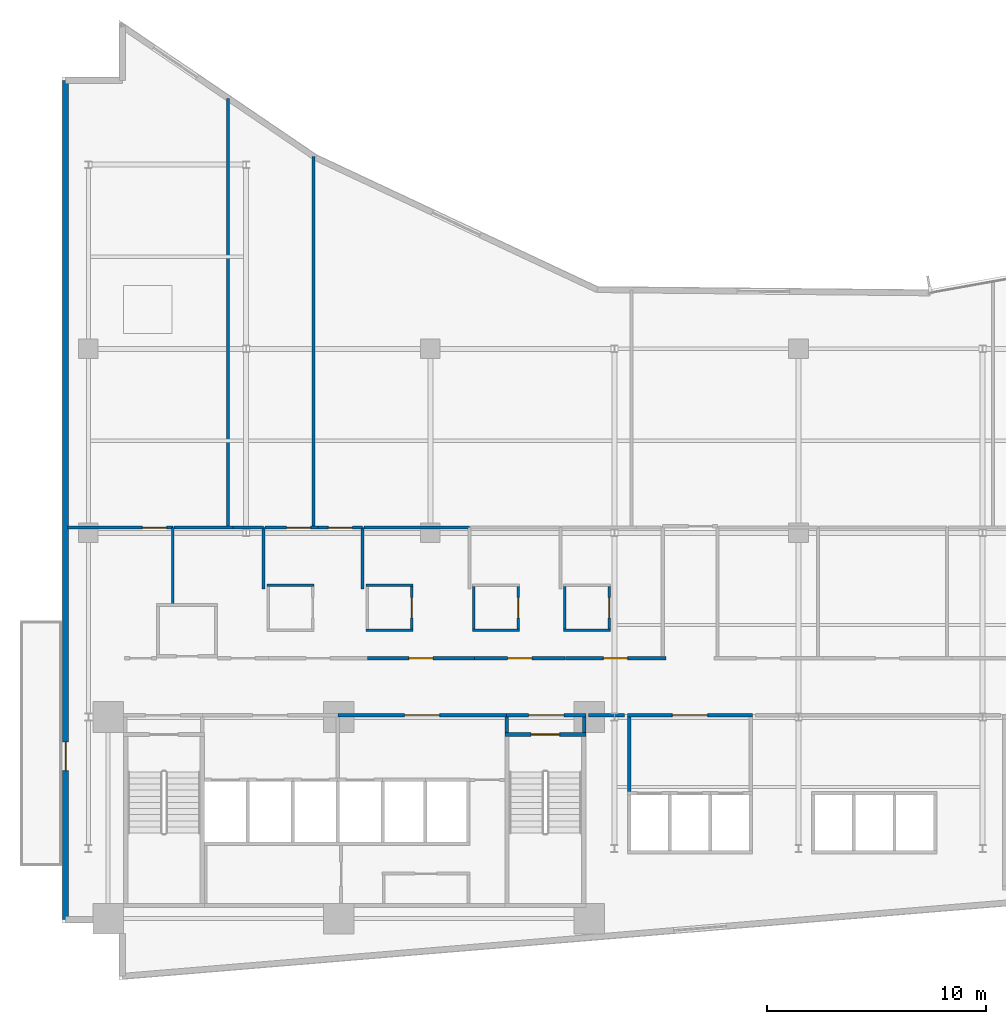
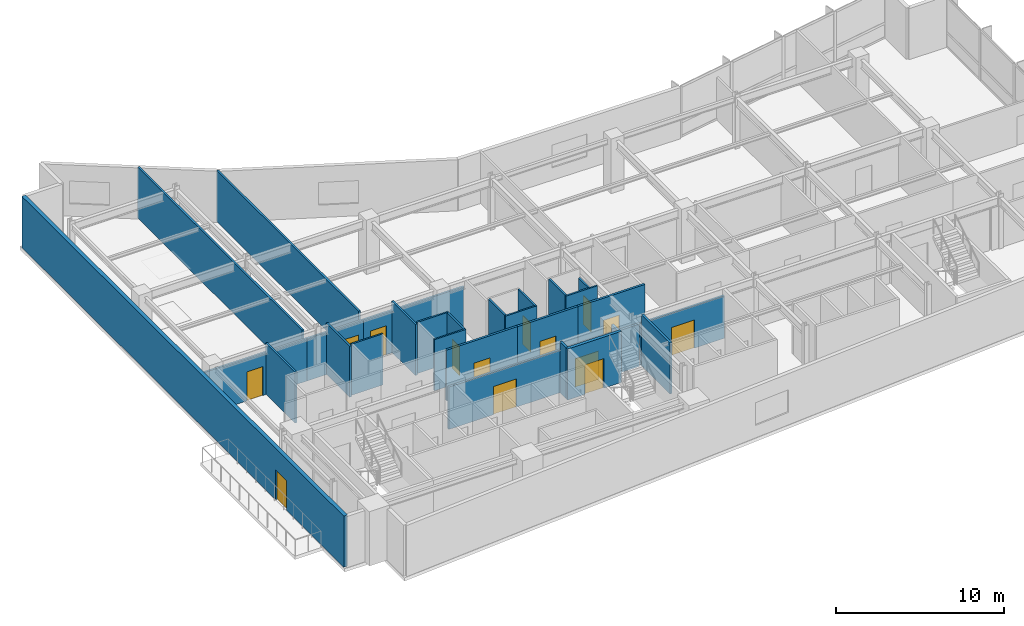
# One storey, part 14 of 21: 33 walls, 14 doors, 14 openings.
"""IFC4 building model written with IfcOpenShell, lengths in metres."""

from ifc_helpers import new_model, si_unit, direction, frame, frame_2d, origin, place, context, subcontext, project, spatial, rectangle, extrude, material, layer, layer_set, type_object, element, fill, save


model = new_model("IFC4")

# Units and contexts
model_context = context("Model", 3, precision=1e-05, world=origin(), true_north=direction((0.0, 1.0)))
body_context = subcontext(model_context, "Body", "Model", "MODEL_VIEW")
ifc_project = project(units=[si_unit("LENGTHUNIT", "METRE"), si_unit("AREAUNIT", "SQUARE_METRE"), si_unit("VOLUMEUNIT", "CUBIC_METRE"), si_unit("PLANEANGLEUNIT", "RADIAN"), si_unit("MASSUNIT", "GRAM", prefix="KILO")], contexts=[model_context])

# Site, building, storey
site_placement = place(None, origin())
site = spatial("IfcSite", under=ifc_project, at=site_placement, CompositionType="ELEMENT")
building_placement = place(site_placement, origin())
building = spatial("IfcBuilding", under=site, at=building_placement, Name="Varnakote Quay Hospital", CompositionType="ELEMENT")
storey_placement = place(building_placement, frame((0.0, 0.0, 77.800048828125)))
storey = spatial("IfcBuildingStorey", under=building, at=storey_placement, Name="L19", CompositionType="ELEMENT", Elevation=77.800048828125)

# Wall, opening, door
ifc_material_1 = material(Name="Fire-rated acoustic gypsum stud wall", Category="gypsum")
ifc_layer_1 = layer(ifc_material_1, 0.159912109375)
ifc_layer_set_1 = layer_set([ifc_layer_1], Name="Fire-rated acoustic gypsum stud wall")
wall_type_1 = type_object("IfcWallType", Name="WL-COMP-160", PredefinedType="PARTITIONING", material=ifc_layer_set_1)
wall_1_placement = place(storey_placement, frame((12.580078125, 12.080078125, 0.0), z_axis=(0.0, 0.0, 1.0), x_axis=(1.0, 0.0, 0.0)))
wall_1 = element("IfcWall", 1, at=wall_1_placement, inside=storey, type_object=wall_type_1, Name="L19 Clinical Bed Lift Lobby Wall", PredefinedType="PARTITIONING", context=body_context, shape_type="SweptSolid", body=[
    extrude(rectangle(XDim=7.699951171875, YDim=0.159912109375, at=frame_2d((3.85009765625, 0.0))), origin(), (0.0, 0.0, 1.0), 3.072998046875),
])
opening_1_placement = place(wall_1_placement, frame((3.050048828125, 0.0, 0.0)))
opening_1 = element("IfcOpeningElement", 2, at=opening_1_placement, cuts=wall_1, Name="Opening D-SVL-L19", PredefinedType="OPENING", context=body_context, shape_type="SweptSolid", body=[
    extrude(rectangle(XDim=1.60009765625, YDim=2.050048828125, at=frame_2d((0.800048828125, 1.02490234375))), frame((0.0, 0.08984375, 0.0), z_axis=(0.0, -1.0, 0.0), x_axis=(1.0, 0.0, 0.0)), (0.0, 0.0, 1.0), 0.179931640625),
])
ifc_material_2 = material(Name="Fire-rated double smoke lobby door")
door_type_1 = type_object("IfcDoorType", Name="DR-LOBBY-FD60S-1600x2150", OperationType="NOTDEFINED", PredefinedType="DOOR", material=ifc_material_2)
door_1_placement = place(opening_1_placement, origin())
door_1 = element("IfcDoor", 3, at=door_1_placement, inside=storey, type_object=door_type_1, Name="L19 Clinical Core Smoke Vestibule Door", OperationType="DOUBLE_DOOR_SINGLE_SWING", OverallHeight=2.050048828125, OverallWidth=1.60009765625, PredefinedType="DOOR", context=body_context, shape_type="SweptSolid", body=[
    extrude(rectangle(XDim=1.60009765625, YDim=2.050048828125, at=frame_2d((0.800048828125, 1.02490234375))), frame((0.0, 0.02490234375, 0.0), z_axis=(0.0, -1.0, 0.0), x_axis=(1.0, 0.0, 0.0)), (0.0, 0.0, 1.0), 0.050048828125),
])
fill(opening_1, door_1)

# Wall
wall_2_placement = place(storey_placement, frame((20.280029296875, 11.300048828125, 0.0), z_axis=(0.0, 0.0, 1.0), x_axis=(0.0, 1.0, 0.0)))
element("IfcWall", 4, at=wall_2_placement, inside=storey, type_object=wall_type_1, Name="L19 East Stair Vestibule Divider Wall", PredefinedType="PARTITIONING", context=body_context, shape_type="SweptSolid", body=[
    extrude(rectangle(XDim=0.699951171875, YDim=0.159912109375, at=frame_2d((0.35009765625, 0.0))), origin(), (0.0, 0.0, 1.0), 3.7099609375),
])

# Wall, opening, door
wall_3_placement = place(storey_placement, frame((20.280029296875, 12.080078125, 0.0), z_axis=(0.0, 0.0, 1.0), x_axis=(1.0, 0.0, 0.0)))
wall_3 = element("IfcWall", 5, at=wall_3_placement, inside=storey, type_object=wall_type_1, Name="L19 East Stair Vestibule Smoke Wall", PredefinedType="PARTITIONING", context=body_context, shape_type="SweptSolid", body=[
    extrude(rectangle(XDim=3.619873046875, YDim=0.159912109375, at=frame_2d((1.81005859375, 0.0))), origin(), (0.0, 0.0, 1.0), 3.072998046875),
])
opening_2_placement = place(wall_3_placement, frame((1.010009765625, 0.0, 0.0)))
opening_2 = element("IfcOpeningElement", 6, at=opening_2_placement, cuts=wall_3, Name="Opening D-ST2L-L19", PredefinedType="OPENING", context=body_context, shape_type="SweptSolid", body=[
    extrude(rectangle(XDim=1.60009765625, YDim=2.050048828125, at=frame_2d((0.800048828125, 1.02490234375))), frame((0.0, 0.08984375, 0.0), z_axis=(0.0, -1.0, 0.0), x_axis=(1.0, 0.0, 0.0)), (0.0, 0.0, 1.0), 0.179931640625),
])
door_2_placement = place(opening_2_placement, origin())
door_2 = element("IfcDoor", 7, at=door_2_placement, inside=storey, type_object=door_type_1, Name="L19 East Stair Vestibule Smoke Door", OperationType="DOUBLE_DOOR_SINGLE_SWING", OverallHeight=2.050048828125, OverallWidth=1.60009765625, PredefinedType="DOOR", context=body_context, shape_type="SweptSolid", body=[
    extrude(rectangle(XDim=1.60009765625, YDim=2.050048828125, at=frame_2d((0.800048828125, 1.02490234375))), frame((0.0, 0.02490234375, 0.0), z_axis=(0.0, -1.0, 0.0), x_axis=(1.0, 0.0, 0.0)), (0.0, 0.0, 1.0), 0.050048828125),
])
fill(opening_2, door_2)

# Walls
wall_4_placement = place(storey_placement, frame((23.820068359375, 11.300048828125, 0.0), z_axis=(0.0, 0.0, 1.0), x_axis=(0.0, 1.0, 0.0)))
element("IfcWall", 8, at=wall_4_placement, inside=storey, type_object=wall_type_1, Name="L19 East Stair Vestibule East Wall", PredefinedType="PARTITIONING", context=body_context, shape_type="SweptSolid", body=[
    extrude(rectangle(XDim=0.699951171875, YDim=0.159912109375, at=frame_2d((0.35009765625, 0.0))), origin(), (0.0, 0.0, 1.0), 3.7099609375),
])
wall_5_placement = place(storey_placement, frame((25.8701171875, 8.610107421875, 0.0), z_axis=(0.0, 0.0, 1.0), x_axis=(0.0, 1.0, 0.0)))
element("IfcWall", 9, at=wall_5_placement, inside=storey, type_object=wall_type_1, Name="L19 Low-Rise Lift Lobby West Wall", PredefinedType="PARTITIONING", context=body_context, shape_type="SweptSolid", body=[
    extrude(rectangle(XDim=3.389892578125, YDim=0.159912109375, at=frame_2d((1.69482421875, 0.0))), origin(), (0.0, 0.0, 1.0), 3.7099609375),
])

# Wall, opening, door
wall_6_placement = place(storey_placement, frame((25.7900390625, 12.080078125, 0.0), z_axis=(0.0, 0.0, 1.0), x_axis=(1.0, 0.0, 0.0)))
wall_6 = element("IfcWall", 10, at=wall_6_placement, inside=storey, type_object=wall_type_1, Name="L19 Low-Rise Lift Lobby North Wall", PredefinedType="PARTITIONING", context=body_context, shape_type="SweptSolid", body=[
    extrude(rectangle(XDim=5.719970703125, YDim=0.159912109375, at=frame_2d((2.85986328125, 0.0))), origin(), (0.0, 0.0, 1.0), 3.072998046875),
])
opening_3_placement = place(wall_6_placement, frame((2.06005859375, 0.0, 0.0)))
opening_3 = element("IfcOpeningElement", 11, at=opening_3_placement, cuts=wall_6, Name="Opening D-PLL-L19", PredefinedType="OPENING", context=body_context, shape_type="SweptSolid", body=[
    extrude(rectangle(XDim=1.60009765625, YDim=2.050048828125, at=frame_2d((0.800048828125, 1.02490234375))), frame((0.0, 0.08984375, 0.0), z_axis=(0.0, -1.0, 0.0), x_axis=(1.0, 0.0, 0.0)), (0.0, 0.0, 1.0), 0.179931640625),
])
door_3_placement = place(opening_3_placement, origin())
door_3 = element("IfcDoor", 12, at=door_3_placement, inside=storey, type_object=door_type_1, Name="L19 Low-Rise Passenger Concourse Vestibule Door", OperationType="DOUBLE_DOOR_SINGLE_SWING", OverallHeight=2.050048828125, OverallWidth=1.60009765625, PredefinedType="DOOR", context=body_context, shape_type="SweptSolid", body=[
    extrude(rectangle(XDim=1.60009765625, YDim=2.050048828125, at=frame_2d((0.800048828125, 1.02490234375))), frame((0.0, 0.02490234375, 0.0), z_axis=(0.0, -1.0, 0.0), x_axis=(1.0, 0.0, 0.0)), (0.0, 0.0, 1.0), 0.050048828125),
])
fill(opening_3, door_3)

# Walls
wall_7_placement = place(storey_placement, frame((24.02001953125, 12.080078125, 0.0), z_axis=(0.0, 0.0, 1.0), x_axis=(1.0, 0.0, 0.0)))
element("IfcWall", 13, at=wall_7_placement, inside=storey, type_object=wall_type_1, Name="L19 Corridor South Gap Wall", PredefinedType="PARTITIONING", context=body_context, shape_type="SweptSolid", body=[
    extrude(rectangle(XDim=1.64990234375, YDim=0.159912109375, at=frame_2d((0.824951171875, 0.0))), origin(), (0.0, 0.0, 1.0), 3.072998046875),
])
ifc_material_3 = material(Name="Moisture-resistant bathroom partition", Category="gypsum")
ifc_layer_2 = layer(ifc_material_3, 0.114990234375)
ifc_layer_set_2 = layer_set([ifc_layer_2], Name="Moisture-resistant bathroom partition")
wall_type_2 = type_object("IfcWallType", Name="WL-ENS-115", PredefinedType="PARTITIONING", material=ifc_layer_set_2)
wall_8_placement = place(storey_placement, frame((9.344970703125, 18.017578125, 0.0), z_axis=(0.0, 0.0, 1.0), x_axis=(1.0, 0.0, 0.0)))
element("IfcWall", 14, at=wall_8_placement, inside=storey, type_object=wall_type_2, Name="L19 Inpatient En-Suite Bathroom 01 N Wall", PredefinedType="PARTITIONING", context=body_context, shape_type="SweptSolid", body=[
    extrude(rectangle(XDim=2.150146484375, YDim=0.114990234375, at=frame_2d((1.0751953125, 0.0))), origin(), (0.0, 0.0, 1.0), 3.7099609375),
])
for number, where, z_axis, x_axis, name in (
    (15, (13.85498046875, 15.952392578125, 0.0), (0.0, 0.0, 1.0), (1.0, 0.0, 0.0), "L19 Inpatient En-Suite Bathroom 02 S Wall"),
    (16, (13.85498046875, 18.017578125, 0.0), (0.0, 0.0, 1.0), (1.0, 0.0, 0.0), "L19 Inpatient En-Suite Bathroom 02 N Wall"),
):
    element("IfcWall", number, at=place(storey_placement, frame(where, z_axis=z_axis, x_axis=x_axis)), inside=storey, type_object=wall_type_2, Name=name, PredefinedType="PARTITIONING", context=body_context, shape_type="SweptSolid", body=[
        extrude(rectangle(XDim=2.14990234375, YDim=0.114990234375, at=frame_2d((1.074951171875, 0.0))), origin(), (0.0, 0.0, 1.0), 3.7099609375),
    ])

# Wall, opening, door
wall_9_placement = place(storey_placement, frame((15.947509765625, 16.010009765625, 0.0), z_axis=(0.0, 0.0, 1.0), x_axis=(0.0, 1.0, 0.0)))
wall_9 = element("IfcWall", 17, at=wall_9_placement, inside=storey, type_object=wall_type_2, Name="L19 Inpatient En-Suite Bathroom 02 E Wall", PredefinedType="PARTITIONING", context=body_context, shape_type="SweptSolid", body=[
    extrude(rectangle(XDim=1.949951171875, YDim=0.114990234375, at=frame_2d((0.97509765625, 0.0))), origin(), (0.0, 0.0, 1.0), 3.7099609375),
])
opening_4_placement = place(wall_9_placement, frame((0.514892578125, 0.0, 0.0)))
opening_4 = element("IfcOpeningElement", 18, at=opening_4_placement, cuts=wall_9, Name="Opening D-L19-ENS02", PredefinedType="OPENING", context=body_context, shape_type="SweptSolid", body=[
    extrude(rectangle(XDim=0.919921875, YDim=2.10009765625, at=frame_2d((0.4599609375, 1.050048828125))), frame((0.0, 0.0673828125, 0.0), z_axis=(0.0, -1.0, 0.0), x_axis=(1.0, 0.0, 0.0)), (0.0, 0.0, 1.0), 0.135009765625),
])
ifc_material_4 = material(Name="Moisture-sealed en-suite bathroom door")
door_type_2 = type_object("IfcDoorType", Name="DR-ENS-920x2100", OperationType="NOTDEFINED", PredefinedType="DOOR", material=ifc_material_4)
door_4_placement = place(opening_4_placement, origin())
door_4 = element("IfcDoor", 19, at=door_4_placement, inside=storey, type_object=door_type_2, Name="L19 Inpatient En-Suite Bathroom 02 Door", OperationType="SINGLE_SWING_RIGHT", OverallHeight=2.10009765625, OverallWidth=0.919921875, PredefinedType="DOOR", context=body_context, shape_type="SweptSolid", body=[
    extrude(rectangle(XDim=0.919921875, YDim=2.10009765625, at=frame_2d((0.4599609375, 1.050048828125))), frame((0.0, 0.02490234375, 0.0), z_axis=(0.0, -1.0, 0.0), x_axis=(1.0, 0.0, 0.0)), (0.0, 0.0, 1.0), 0.050048828125),
])
fill(opening_4, door_4)

# Walls
wall_10_placement = place(storey_placement, frame((18.72509765625, 15.952392578125, 0.0), z_axis=(0.0, 0.0, 1.0), x_axis=(1.0, 0.0, 0.0)))
element("IfcWall", 20, at=wall_10_placement, inside=storey, type_object=wall_type_2, Name="L19 Inpatient En-Suite Bathroom 03 S Wall", PredefinedType="PARTITIONING", context=body_context, shape_type="SweptSolid", body=[
    extrude(rectangle(XDim=2.14990234375, YDim=0.114990234375, at=frame_2d((1.074951171875, 0.0))), origin(), (0.0, 0.0, 1.0), 3.7099609375),
])
wall_11_placement = place(storey_placement, frame((18.782470703125, 16.010009765625, 0.0), z_axis=(0.0, 0.0, 1.0), x_axis=(0.0, 1.0, 0.0)))
element("IfcWall", 21, at=wall_11_placement, inside=storey, type_object=wall_type_2, Name="L19 Inpatient En-Suite Bathroom 03 W Wall", PredefinedType="PARTITIONING", context=body_context, shape_type="SweptSolid", body=[
    extrude(rectangle(XDim=1.949951171875, YDim=0.114990234375, at=frame_2d((0.97509765625, 0.0))), origin(), (0.0, 0.0, 1.0), 3.7099609375),
])

# Wall, opening, door
wall_12_placement = place(storey_placement, frame((20.8173828125, 16.010009765625, 0.0), z_axis=(0.0, 0.0, 1.0), x_axis=(0.0, 1.0, 0.0)))
wall_12 = element("IfcWall", 22, at=wall_12_placement, inside=storey, type_object=wall_type_2, Name="L19 Inpatient En-Suite Bathroom 03 E Wall", PredefinedType="PARTITIONING", context=body_context, shape_type="SweptSolid", body=[
    extrude(rectangle(XDim=1.949951171875, YDim=0.114990234375, at=frame_2d((0.97509765625, 0.0))), origin(), (0.0, 0.0, 1.0), 3.7099609375),
])
opening_5_placement = place(wall_12_placement, frame((0.514892578125, 0.0, 0.0)))
opening_5 = element("IfcOpeningElement", 23, at=opening_5_placement, cuts=wall_12, Name="Opening D-L19-ENS03", PredefinedType="OPENING", context=body_context, shape_type="SweptSolid", body=[
    extrude(rectangle(XDim=0.919921875, YDim=2.10009765625, at=frame_2d((0.4599609375, 1.050048828125))), frame((0.0, 0.0673828125, 0.0), z_axis=(0.0, -1.0, 0.0), x_axis=(1.0, 0.0, 0.0)), (0.0, 0.0, 1.0), 0.135009765625),
])
door_5_placement = place(opening_5_placement, origin())
door_5 = element("IfcDoor", 24, at=door_5_placement, inside=storey, type_object=door_type_2, Name="L19 Inpatient En-Suite Bathroom 03 Door", OperationType="SINGLE_SWING_LEFT", OverallHeight=2.10009765625, OverallWidth=0.919921875, PredefinedType="DOOR", context=body_context, shape_type="SweptSolid", body=[
    extrude(rectangle(XDim=0.919921875, YDim=2.10009765625, at=frame_2d((0.4599609375, 1.050048828125))), frame((0.0, 0.02490234375, 0.0), z_axis=(0.0, -1.0, 0.0), x_axis=(1.0, 0.0, 0.0)), (0.0, 0.0, 1.0), 0.050048828125),
])
fill(opening_5, door_5)

# Walls
wall_13_placement = place(storey_placement, frame((22.875, 15.952392578125, 0.0), z_axis=(0.0, 0.0, 1.0), x_axis=(1.0, 0.0, 0.0)))
element("IfcWall", 25, at=wall_13_placement, inside=storey, type_object=wall_type_2, Name="L19 Inpatient En-Suite Bathroom 04 S Wall", PredefinedType="PARTITIONING", context=body_context, shape_type="SweptSolid", body=[
    extrude(rectangle(XDim=2.14990234375, YDim=0.114990234375, at=frame_2d((1.074951171875, 0.0))), origin(), (0.0, 0.0, 1.0), 3.7099609375),
])
wall_14_placement = place(storey_placement, frame((22.9326171875, 16.010009765625, 0.0), z_axis=(0.0, 0.0, 1.0), x_axis=(0.0, 1.0, 0.0)))
element("IfcWall", 26, at=wall_14_placement, inside=storey, type_object=wall_type_2, Name="L19 Inpatient En-Suite Bathroom 04 W Wall", PredefinedType="PARTITIONING", context=body_context, shape_type="SweptSolid", body=[
    extrude(rectangle(XDim=1.949951171875, YDim=0.114990234375, at=frame_2d((0.97509765625, 0.0))), origin(), (0.0, 0.0, 1.0), 3.7099609375),
])

# Wall, opening, door
wall_15_placement = place(storey_placement, frame((24.967529296875, 16.010009765625, 0.0), z_axis=(0.0, 0.0, 1.0), x_axis=(0.0, 1.0, 0.0)))
wall_15 = element("IfcWall", 27, at=wall_15_placement, inside=storey, type_object=wall_type_2, Name="L19 Inpatient En-Suite Bathroom 04 E Wall", PredefinedType="PARTITIONING", context=body_context, shape_type="SweptSolid", body=[
    extrude(rectangle(XDim=1.949951171875, YDim=0.114990234375, at=frame_2d((0.97509765625, 0.0))), origin(), (0.0, 0.0, 1.0), 3.072998046875),
])
opening_6_placement = place(wall_15_placement, frame((0.514892578125, 0.0, 0.0)))
opening_6 = element("IfcOpeningElement", 28, at=opening_6_placement, cuts=wall_15, Name="Opening D-L19-ENS04", PredefinedType="OPENING", context=body_context, shape_type="SweptSolid", body=[
    extrude(rectangle(XDim=0.919921875, YDim=2.10009765625, at=frame_2d((0.4599609375, 1.050048828125))), frame((0.0, 0.0673828125, 0.0), z_axis=(0.0, -1.0, 0.0), x_axis=(1.0, 0.0, 0.0)), (0.0, 0.0, 1.0), 0.135009765625),
])
door_6_placement = place(opening_6_placement, origin())
door_6 = element("IfcDoor", 29, at=door_6_placement, inside=storey, type_object=door_type_2, Name="L19 Inpatient En-Suite Bathroom 04 Door", OperationType="SINGLE_SWING_RIGHT", OverallHeight=2.10009765625, OverallWidth=0.919921875, PredefinedType="DOOR", context=body_context, shape_type="SweptSolid", body=[
    extrude(rectangle(XDim=0.919921875, YDim=2.10009765625, at=frame_2d((0.4599609375, 1.050048828125))), frame((0.0, 0.02490234375, 0.0), z_axis=(0.0, -1.0, 0.0), x_axis=(1.0, 0.0, 0.0)), (0.0, 0.0, 1.0), 0.050048828125),
])
fill(opening_6, door_6)

ifc_material_5 = material(Name="Precast concrete N50 (f'c 50 MPa)", Category="concrete")
ifc_layer_3 = layer(ifc_material_5, 0.260009765625)
ifc_layer_set_3 = layer_set([ifc_layer_3], Name="Precast concrete N50 (f'c 50 MPa)")
wall_type_3 = type_object("IfcWallType", Name="WL-EXT-BRICK-260", PredefinedType="STANDARD", material=ifc_layer_set_3)
wall_16_placement = place(storey_placement, frame((0.159912109375, 41.0400390625, 0.0), z_axis=(0.0, 0.0, 1.0), x_axis=(0.0, -1.0, 0.0)))
wall_16 = element("IfcWall", 30, at=wall_16_placement, inside=storey, type_object=wall_type_3, Name="L19 Healing Terrace Portal Brick Wall", PredefinedType="STANDARD", context=body_context, shape_type="SweptSolid", body=[
    extrude(rectangle(XDim=38.280029296875, YDim=0.260009765625, at=frame_2d((19.14013671875, 0.0))), origin(), (0.0, 0.0, 1.0), 3.7099609375),
])
opening_7_placement = place(wall_16_placement, frame((30.186767578125, 0.0, 0.0)))
opening_7 = element("IfcOpeningElement", 31, at=opening_7_placement, cuts=wall_16, Name="Opening DT-L19", PredefinedType="OPENING", context=body_context, shape_type="SweptSolid", body=[
    extrude(rectangle(XDim=1.300048828125, YDim=2.14990234375, at=frame_2d((0.64990234375, 1.074951171875))), frame((0.0, 0.139892578125, 0.0), z_axis=(0.0, -1.0, 0.0), x_axis=(1.0, 0.0, 0.0)), (0.0, 0.0, 1.0), 0.280029296875),
])
ifc_material_6 = material(Name="Anodised aluminium glazed terrace door", Category="aluminium")
door_type_3 = type_object("IfcDoorType", Name="DR-EXT-TERR-1300x2150", OperationType="NOTDEFINED", PredefinedType="DOOR", material=ifc_material_6)
door_7_placement = place(opening_7_placement, origin())
door_7 = element("IfcDoor", 32, at=door_7_placement, inside=storey, type_object=door_type_3, Name="L19 Waterfront Healing Terrace Door", OperationType="SINGLE_SWING_RIGHT", OverallHeight=2.14990234375, OverallWidth=1.300048828125, PredefinedType="DOOR", context=body_context, shape_type="SweptSolid", body=[
    extrude(rectangle(XDim=1.300048828125, YDim=2.14990234375, at=frame_2d((0.64990234375, 1.074951171875))), frame((0.0, 0.02490234375, 0.0), z_axis=(0.0, -1.0, 0.0), x_axis=(1.0, 0.0, 0.0)), (0.0, 0.0, 1.0), 0.050048828125),
])
fill(opening_7, door_7)

ifc_material_7 = material(Name="Concrete N50 (f'c 50 MPa)", Category="concrete")
ifc_layer_4 = layer(ifc_material_7, 0.199951171875)
ifc_layer_set_4 = layer_set([ifc_layer_4], Name="Concrete N50 (f'c 50 MPa)")
wall_type_4 = type_object("IfcWallType", Name="WL-SHAFT-N50-200", PredefinedType="SHEAR", material=ifc_layer_set_4)
wall_17_placement = place(storey_placement, frame((20.199951171875, 11.199951171875, 0.0), z_axis=(0.0, 0.0, 1.0), x_axis=(1.0, 0.0, 0.0)))
wall_17 = element("IfcWall", 33, at=wall_17_placement, inside=storey, type_object=wall_type_4, Name="L19 Stair ST2 Exit Wall", PredefinedType="SHEAR", context=body_context, shape_type="SweptSolid", body=[
    extrude(rectangle(XDim=3.699951171875, YDim=0.199951171875, at=frame_2d((1.85009765625, 0.0))), origin(), (0.0, 0.0, 1.0), 3.7099609375),
])
opening_8_placement = place(wall_17_placement, frame((1.199951171875, 0.0, 0.0)))
opening_8 = element("IfcOpeningElement", 34, at=opening_8_placement, cuts=wall_17, Name="Opening D-ST2-L19", PredefinedType="OPENING", context=body_context, shape_type="SweptSolid", body=[
    extrude(rectangle(XDim=1.300048828125, YDim=2.14990234375, at=frame_2d((0.64990234375, 1.074951171875))), frame((0.0, 0.10986328125, 0.0), z_axis=(0.0, -1.0, 0.0), x_axis=(1.0, 0.0, 0.0)), (0.0, 0.0, 1.0), 0.219970703125),
])
ifc_material_8 = material(Name="Fire-rated ceramic-glazed timber exit door", Category="wood")
door_type_4 = type_object("IfcDoorType", Name="DR-STAIR-FD60S-1300x2150", OperationType="NOTDEFINED", PredefinedType="DOOR", material=ifc_material_8)
door_8_placement = place(opening_8_placement, origin())
door_8 = element("IfcDoor", 35, at=door_8_placement, inside=storey, type_object=door_type_4, Name="L19 Stair ST2 Fire Exit Door", OperationType="SINGLE_SWING_LEFT", OverallHeight=2.14990234375, OverallWidth=1.300048828125, PredefinedType="DOOR", context=body_context, shape_type="SweptSolid", body=[
    extrude(rectangle(XDim=1.300048828125, YDim=2.14990234375, at=frame_2d((0.64990234375, 1.074951171875))), frame((0.0, 0.02490234375, 0.0), z_axis=(0.0, -1.0, 0.0), x_axis=(1.0, 0.0, 0.0)), (0.0, 0.0, 1.0), 0.050048828125),
])
fill(opening_8, door_8)

# Wall
ifc_material_9 = material(Name="Smoke-proof clinical partition", Category="gypsum")
ifc_layer_5 = layer(ifc_material_9, 0.135009765625)
ifc_layer_set_5 = layer_set([ifc_layer_5], Name="Smoke-proof clinical partition")
wall_type_5 = type_object("IfcWallType", Name="WL-SMOKE-135", PredefinedType="PARTITIONING", material=ifc_layer_set_5)
wall_18_placement = place(storey_placement, frame((5.050048828125, 17.139892578125, 0.0), z_axis=(0.0, 0.0, 1.0), x_axis=(0.0, 1.0, 0.0)))
element("IfcWall", 36, at=wall_18_placement, inside=storey, type_object=wall_type_5, Name="L19 Clinical Interior Partition", PredefinedType="PARTITIONING", context=body_context, shape_type="SweptSolid", body=[
    extrude(rectangle(XDim=3.5, YDim=0.135009765625, at=frame_2d((1.75, 0.0))), origin(), (0.0, 0.0, 1.0), 3.7099609375),
])

# Wall, opening, door
wall_19_placement = place(storey_placement, frame((5.050048828125, 20.639892578125, 0.0), z_axis=(0.0, 0.0, 1.0), x_axis=(-1.0, 0.0, 0.0)))
wall_19 = element("IfcWall", 37, at=wall_19_placement, inside=storey, type_object=wall_type_5, Name="L19 Clinical Interior Partition", PredefinedType="PARTITIONING", context=body_context, shape_type="SweptSolid", body=[
    extrude(rectangle(XDim=4.81005859375, YDim=0.135009765625, at=frame_2d((2.405029296875, 0.0))), origin(), (0.0, 0.0, 1.0), 3.072998046875),
])
opening_9_placement = place(wall_19_placement, frame((0.28271484375, 0.0, 0.0)))
opening_9 = element("IfcOpeningElement", 38, at=opening_9_placement, cuts=wall_19, Name="Opening D-L19-DLNG", PredefinedType="OPENING", context=body_context, shape_type="SweptSolid", body=[
    extrude(rectangle(XDim=1.10009765625, YDim=2.10009765625, at=frame_2d((0.550048828125, 1.050048828125))), frame((0.0, 0.077392578125, 0.0), z_axis=(0.0, -1.0, 0.0), x_axis=(1.0, 0.0, 0.0)), (0.0, 0.0, 1.0), 0.155029296875),
])
ifc_material_10 = material(Name="Acoustic timber clinical consult door", Category="wood")
door_type_5 = type_object("IfcDoorType", Name="DR-CLIN-FD30S-1100x2100", OperationType="NOTDEFINED", PredefinedType="DOOR", material=ifc_material_10)
door_9_placement = place(opening_9_placement, origin())
door_9 = element("IfcDoor", 39, at=door_9_placement, inside=storey, type_object=door_type_5, Name="L19 Waterfront Patient & Family Dayroom Door", OperationType="SINGLE_SWING_LEFT", OverallHeight=2.10009765625, OverallWidth=1.10009765625, PredefinedType="DOOR", context=body_context, shape_type="SweptSolid", body=[
    extrude(rectangle(XDim=1.10009765625, YDim=2.10009765625, at=frame_2d((0.550048828125, 1.050048828125))), frame((0.0, 0.02490234375, 0.0), z_axis=(0.0, -1.0, 0.0), x_axis=(1.0, 0.0, 0.0)), (0.0, 0.0, 1.0), 0.050048828125),
])
fill(opening_9, door_9)

# Walls
wall_20_placement = place(storey_placement, frame((9.199951171875, 17.83251953125, 0.0), z_axis=(0.0, 0.0, 1.0), x_axis=(0.0, 1.0, 0.0)))
element("IfcWall", 40, at=wall_20_placement, inside=storey, type_object=wall_type_5, Name="L19 Clinical Interior Partition", PredefinedType="PARTITIONING", context=body_context, shape_type="SweptSolid", body=[
    extrude(rectangle(XDim=2.807373046875, YDim=0.135009765625, at=frame_2d((1.40380859375, 0.0))), origin(), (0.0, 0.0, 1.0), 3.7099609375),
])
wall_21_placement = place(storey_placement, frame((7.78759765625, 20.639892578125, 0.0), z_axis=(0.0, 0.0, 1.0), x_axis=(-1.0, 0.0, 0.0)))
element("IfcWall", 41, at=wall_21_placement, inside=storey, type_object=wall_type_5, Name="L19 Clinical Interior Partition", PredefinedType="PARTITIONING", context=body_context, shape_type="SweptSolid", body=[
    extrude(rectangle(XDim=2.68017578125, YDim=0.135009765625, at=frame_2d((1.340087890625, 0.0))), origin(), (0.0, 0.0, 1.0), 3.072998046875),
])
wall_22_placement = place(storey_placement, frame((9.199951171875, 20.639892578125, 0.0), z_axis=(0.0, 0.0, 1.0), x_axis=(-1.0, 0.0, 0.0)))
element("IfcWall", 42, at=wall_22_placement, inside=storey, type_object=wall_type_5, Name="L19 Clinical Interior Partition", PredefinedType="PARTITIONING", context=body_context, shape_type="SweptSolid", body=[
    extrude(rectangle(XDim=1.410400390625, YDim=0.135009765625, at=frame_2d((0.705078125, 0.0))), origin(), (0.0, 0.0, 1.0), 3.072998046875),
])
wall_23_placement = place(storey_placement, frame((13.7099609375, 17.83251953125, 0.0), z_axis=(0.0, 0.0, 1.0), x_axis=(0.0, 1.0, 0.0)))
element("IfcWall", 43, at=wall_23_placement, inside=storey, type_object=wall_type_5, Name="L19 Clinical Interior Partition", PredefinedType="PARTITIONING", context=body_context, shape_type="SweptSolid", body=[
    extrude(rectangle(XDim=2.807373046875, YDim=0.135009765625, at=frame_2d((1.40380859375, 0.0))), origin(), (0.0, 0.0, 1.0), 3.7099609375),
])

# Wall, opening, door
wall_24_placement = place(storey_placement, frame((11.677490234375, 20.639892578125, 0.0), z_axis=(0.0, 0.0, 1.0), x_axis=(-1.0, 0.0, 0.0)))
wall_24 = element("IfcWall", 44, at=wall_24_placement, inside=storey, type_object=wall_type_5, Name="L19 Clinical Interior Partition", PredefinedType="PARTITIONING", context=body_context, shape_type="SweptSolid", body=[
    extrude(rectangle(XDim=2.419921875, YDim=0.135009765625, at=frame_2d((1.2099609375, 0.0))), origin(), (0.0, 0.0, 1.0), 3.072998046875),
])
opening_10_placement = place(wall_24_placement, frame((0.337890625, 0.0, 0.0)))
opening_10 = element("IfcOpeningElement", 45, at=opening_10_placement, cuts=wall_24, Name="Opening D-L19-WPNT", PredefinedType="OPENING", context=body_context, shape_type="SweptSolid", body=[
    extrude(rectangle(XDim=1.10009765625, YDim=2.10009765625, at=frame_2d((0.550048828125, 1.050048828125))), frame((0.0, 0.077392578125, 0.0), z_axis=(0.0, -1.0, 0.0), x_axis=(1.0, 0.0, 0.0)), (0.0, 0.0, 1.0), 0.155029296875),
])
door_10_placement = place(opening_10_placement, origin())
door_10 = element("IfcDoor", 46, at=door_10_placement, inside=storey, type_object=door_type_5, Name="L19 Ward Clinical Nutrition Pantry Door", OperationType="SINGLE_SWING_RIGHT", OverallHeight=2.10009765625, OverallWidth=1.10009765625, PredefinedType="DOOR", context=body_context, shape_type="SweptSolid", body=[
    extrude(rectangle(XDim=1.10009765625, YDim=2.10009765625, at=frame_2d((0.550048828125, 1.050048828125))), frame((0.0, 0.02490234375, 0.0), z_axis=(0.0, -1.0, 0.0), x_axis=(1.0, 0.0, 0.0)), (0.0, 0.0, 1.0), 0.050048828125),
])
fill(opening_10, door_10)

wall_25_placement = place(storey_placement, frame((13.7099609375, 20.639892578125, 0.0), z_axis=(0.0, 0.0, 1.0), x_axis=(-1.0, 0.0, 0.0)))
wall_25 = element("IfcWall", 47, at=wall_25_placement, inside=storey, type_object=wall_type_5, Name="L19 Clinical Interior Partition", PredefinedType="PARTITIONING", context=body_context, shape_type="SweptSolid", body=[
    extrude(rectangle(XDim=2.030517578125, YDim=0.135009765625, at=frame_2d((1.01513671875, 0.0))), origin(), (0.0, 0.0, 1.0), 3.072998046875),
])
opening_11_placement = place(wall_25_placement, frame((0.465087890625, 0.0, 0.0)))
opening_11 = element("IfcOpeningElement", 48, at=opening_11_placement, cuts=wall_25, Name="Opening D-L19-MD07", PredefinedType="OPENING", context=body_context, shape_type="SweptSolid", body=[
    extrude(rectangle(XDim=1.10009765625, YDim=2.10009765625, at=frame_2d((0.550048828125, 1.050048828125))), frame((0.0, 0.077392578125, 0.0), z_axis=(0.0, -1.0, 0.0), x_axis=(1.0, 0.0, 0.0)), (0.0, 0.0, 1.0), 0.155029296875),
])
door_11_placement = place(opening_11_placement, origin())
door_11 = element("IfcDoor", 49, at=door_11_placement, inside=storey, type_object=door_type_5, Name="L19 Nursing Education Meeting Room Door", OperationType="SINGLE_SWING_LEFT", OverallHeight=2.10009765625, OverallWidth=1.10009765625, PredefinedType="DOOR", context=body_context, shape_type="SweptSolid", body=[
    extrude(rectangle(XDim=1.10009765625, YDim=2.10009765625, at=frame_2d((0.550048828125, 1.050048828125))), frame((0.0, 0.02490234375, 0.0), z_axis=(0.0, -1.0, 0.0), x_axis=(1.0, 0.0, 0.0)), (0.0, 0.0, 1.0), 0.050048828125),
])
fill(opening_11, door_11)

# Walls
wall_26_placement = place(storey_placement, frame((18.580078125, 20.639892578125, 0.0), z_axis=(0.0, 0.0, 1.0), x_axis=(-1.0, 0.0, 0.0)))
element("IfcWall", 50, at=wall_26_placement, inside=storey, type_object=wall_type_5, Name="L19 Clinical Interior Partition", PredefinedType="PARTITIONING", context=body_context, shape_type="SweptSolid", body=[
    extrude(rectangle(XDim=4.8125, YDim=0.135009765625, at=frame_2d((2.40625, 0.0))), origin(), (0.0, 0.0, 1.0), 3.072998046875),
])
wall_27_placement = place(storey_placement, frame((7.580078125, 20.697509765625, 0.0), z_axis=(0.0, 0.0, 1.0), x_axis=(0.0, 1.0, 0.0)))
element("IfcWall", 51, at=wall_27_placement, inside=storey, type_object=wall_type_5, Name="L19 Clinical Interior Partition", PredefinedType="PARTITIONING", context=body_context, shape_type="SweptSolid", body=[
    extrude(rectangle(XDim=19.5244140625, YDim=0.135009765625, at=frame_2d((9.76220703125, 0.0))), origin(), (0.0, 0.0, 1.0), 3.7099609375),
])
wall_28_placement = place(storey_placement, frame((11.469970703125, 20.697509765625, 0.0), z_axis=(0.0, 0.0, 1.0), x_axis=(0.0, 1.0, 0.0)))
element("IfcWall", 52, at=wall_28_placement, inside=storey, type_object=wall_type_5, Name="L19 Clinical Interior Partition", PredefinedType="PARTITIONING", context=body_context, shape_type="SweptSolid", body=[
    extrude(rectangle(XDim=16.880615234375, YDim=0.135009765625, at=frame_2d((8.4404296875, 0.0))), origin(), (0.0, 0.0, 1.0), 3.7099609375),
])

# Wall, opening, door
ifc_material_11 = material(Name="Fire-rated clinical gypsum partition", Category="gypsum")
ifc_layer_6 = layer(ifc_material_11, 0.14990234375)
ifc_layer_set_6 = layer_set([ifc_layer_6], Name="Fire-rated clinical gypsum partition")
wall_type_6 = type_object("IfcWallType", Name="WL-WARD-150", PredefinedType="PARTITIONING", material=ifc_layer_set_6)
wall_29_placement = place(storey_placement, frame((18.805908203125, 14.679931640625, 0.0), z_axis=(0.0, 0.0, 1.0), x_axis=(-1.0, 0.0, 0.0)))
wall_29 = element("IfcWall", 53, at=wall_29_placement, inside=storey, type_object=wall_type_6, Name="L19 Clinical Interior Partition", PredefinedType="PARTITIONING", context=body_context, shape_type="SweptSolid", body=[
    extrude(rectangle(XDim=4.867919921875, YDim=0.14990234375, at=frame_2d((2.43408203125, 0.0))), origin(), (0.0, 0.0, 1.0), 3.7099609375),
])
opening_12_placement = place(wall_29_placement, frame((1.884033203125, 0.0, 0.0)))
opening_12 = element("IfcOpeningElement", 54, at=opening_12_placement, cuts=wall_29, Name="Opening D-L19-BR02", PredefinedType="OPENING", context=body_context, shape_type="SweptSolid", body=[
    extrude(rectangle(XDim=1.10009765625, YDim=2.10009765625, at=frame_2d((0.550048828125, 1.050048828125))), frame((0.0, 0.0849609375, 0.0), z_axis=(0.0, -1.0, 0.0), x_axis=(1.0, 0.0, 0.0)), (0.0, 0.0, 1.0), 0.169921875),
])
door_12_placement = place(opening_12_placement, origin())
door_12 = element("IfcDoor", 55, at=door_12_placement, inside=storey, type_object=door_type_5, Name="L19 Inpatient Clinical Treatment Room 02 Door", OperationType="SINGLE_SWING_LEFT", OverallHeight=2.10009765625, OverallWidth=1.10009765625, PredefinedType="DOOR", context=body_context, shape_type="SweptSolid", body=[
    extrude(rectangle(XDim=1.10009765625, YDim=2.10009765625, at=frame_2d((0.550048828125, 1.050048828125))), frame((0.0, 0.02490234375, 0.0), z_axis=(0.0, -1.0, 0.0), x_axis=(1.0, 0.0, 0.0)), (0.0, 0.0, 1.0), 0.050048828125),
])
fill(opening_12, door_12)

wall_30_placement = place(storey_placement, frame((22.9560546875, 14.679931640625, 0.0), z_axis=(0.0, 0.0, 1.0), x_axis=(-1.0, 0.0, 0.0)))
wall_30 = element("IfcWall", 56, at=wall_30_placement, inside=storey, type_object=wall_type_6, Name="L19 Clinical Interior Partition", PredefinedType="PARTITIONING", context=body_context, shape_type="SweptSolid", body=[
    extrude(rectangle(XDim=4.14794921875, YDim=0.14990234375, at=frame_2d((2.073974609375, 0.0))), origin(), (0.0, 0.0, 1.0), 3.7099609375),
])
opening_13_placement = place(wall_30_placement, frame((1.52392578125, 0.0, 0.0)))
opening_13 = element("IfcOpeningElement", 57, at=opening_13_placement, cuts=wall_30, Name="Opening D-L19-BR03", PredefinedType="OPENING", context=body_context, shape_type="SweptSolid", body=[
    extrude(rectangle(XDim=1.10009765625, YDim=2.10009765625, at=frame_2d((0.550048828125, 1.050048828125))), frame((0.0, 0.0849609375, 0.0), z_axis=(0.0, -1.0, 0.0), x_axis=(1.0, 0.0, 0.0)), (0.0, 0.0, 1.0), 0.169921875),
])
door_13_placement = place(opening_13_placement, origin())
door_13 = element("IfcDoor", 58, at=door_13_placement, inside=storey, type_object=door_type_5, Name="L19 Inpatient Clinical Treatment Room 03 Door", OperationType="SINGLE_SWING_RIGHT", OverallHeight=2.10009765625, OverallWidth=1.10009765625, PredefinedType="DOOR", context=body_context, shape_type="SweptSolid", body=[
    extrude(rectangle(XDim=1.10009765625, YDim=2.10009765625, at=frame_2d((0.550048828125, 1.050048828125))), frame((0.0, 0.02490234375, 0.0), z_axis=(0.0, -1.0, 0.0), x_axis=(1.0, 0.0, 0.0)), (0.0, 0.0, 1.0), 0.050048828125),
])
fill(opening_13, door_13)

wall_31_placement = place(storey_placement, frame((27.5458984375, 14.679931640625, 0.0), z_axis=(0.0, 0.0, 1.0), x_axis=(-1.0, 0.0, 0.0)))
wall_31 = element("IfcWall", 59, at=wall_31_placement, inside=storey, type_object=wall_type_6, Name="L19 Clinical Interior Partition", PredefinedType="PARTITIONING", context=body_context, shape_type="SweptSolid", body=[
    extrude(rectangle(XDim=4.587890625, YDim=0.14990234375, at=frame_2d((2.2939453125, 0.0))), origin(), (0.0, 0.0, 1.0), 3.7099609375),
])
opening_14_placement = place(wall_31_placement, frame((1.743896484375, 0.0, 0.0)))
opening_14 = element("IfcOpeningElement", 60, at=opening_14_placement, cuts=wall_31, Name="Opening D-L19-BR04", PredefinedType="OPENING", context=body_context, shape_type="SweptSolid", body=[
    extrude(rectangle(XDim=1.10009765625, YDim=2.10009765625, at=frame_2d((0.550048828125, 1.050048828125))), frame((0.0, 0.0849609375, 0.0), z_axis=(0.0, -1.0, 0.0), x_axis=(1.0, 0.0, 0.0)), (0.0, 0.0, 1.0), 0.169921875),
])
door_14_placement = place(opening_14_placement, origin())
door_14 = element("IfcDoor", 61, at=door_14_placement, inside=storey, type_object=door_type_5, Name="L19 Inpatient Clinical Treatment Room 04 Door", OperationType="SINGLE_SWING_LEFT", OverallHeight=2.10009765625, OverallWidth=1.10009765625, PredefinedType="DOOR", context=body_context, shape_type="SweptSolid", body=[
    extrude(rectangle(XDim=1.10009765625, YDim=2.10009765625, at=frame_2d((0.550048828125, 1.050048828125))), frame((0.0, 0.02490234375, 0.0), z_axis=(0.0, -1.0, 0.0), x_axis=(1.0, 0.0, 0.0)), (0.0, 0.0, 1.0), 0.050048828125),
])
fill(opening_14, door_14)

save(model, "model.ifc")
